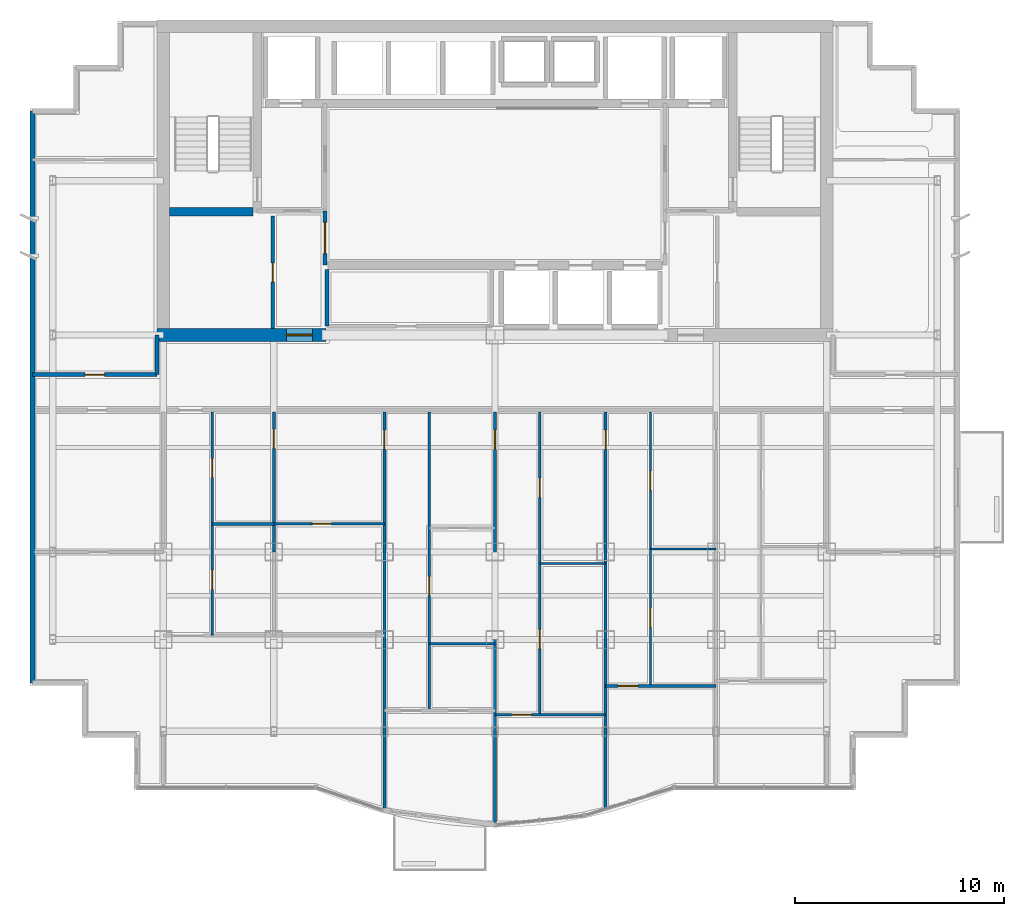
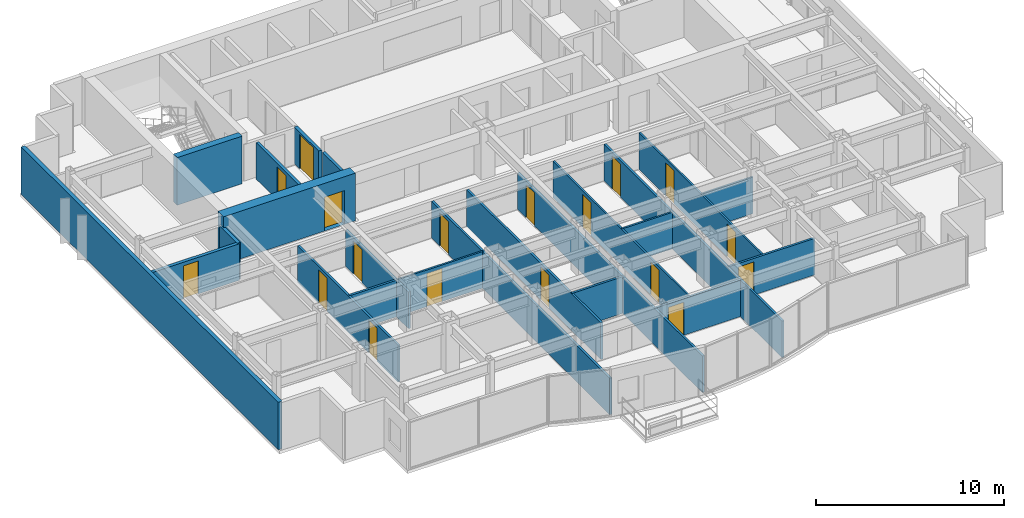
# One storey, part 6 of 11: 23 walls, 18 doors, 18 openings.
"""IFC4 building model written with IfcOpenShell, lengths in metres."""

import ifcopenshell
import ifcopenshell.guid

model = None  # the IFC model being written
_history = None  # IfcOwnerHistory: only IFC2X3 demands one
_inside = {}  # id of a spatial element -> (the spatial element, [elements in it])
_under = {}  # id of a project, library or spatial element -> (it, [spatial elements below it])
_declared = {}  # id of a project -> (the project, [libraries it declares])
_typed = {}  # id of a type object -> (the type object, [elements of that type])
_made_of = {}  # id of a material, layer set ... -> (it, [elements and type objects made of it])


def new_model(schema):
    """Start an empty IFC model of exactly this schema.

    Asked for "IFC4X3", IfcOpenShell would pick the latest addendum, in which some entities
    have other attributes; the version numbers below select the first issue.
    IFC2X3 requires an IfcOwnerHistory on every rooted entity: one is made here for all.
    """
    global model, _history
    if schema == "IFC4X3":
        model = ifcopenshell.file(schema_version=(4, 3, 0, 0))
    else:
        model = ifcopenshell.file(schema=schema)
    _inside.clear()
    _under.clear()
    _declared.clear()
    _typed.clear()
    _made_of.clear()
    _history = None
    if model.schema == "IFC2X3":
        org = make("IfcOrganization", Name="unknown")
        user = make(
            "IfcPersonAndOrganization",
            ThePerson=make("IfcPerson", FamilyName="unknown"),
            TheOrganization=org,
        )
        app = make(
            "IfcApplication",
            ApplicationDeveloper=org,
            Version="unknown",
            ApplicationFullName="unknown",
            ApplicationIdentifier="unknown",
        )
        _history = make(
            "IfcOwnerHistory",
            OwningUser=user,
            OwningApplication=app,
            ChangeAction="ADDED",
            CreationDate=0,
        )
    return model


def make(cls, **values):
    """One entity of the class cls with the attributes given. An attribute that is None is left unset."""
    return model.create_entity(
        cls, **{name: value for name, value in values.items() if value is not None}
    )


def rooted(cls, **values):
    """An entity with a GlobalId (a new one), such as an element, a storey or a relation."""
    return make(cls, GlobalId=ifcopenshell.guid.new(), OwnerHistory=_history, **values)


def si_unit(unit_type, name, prefix=None):
    """IfcSIUnit, for example si_unit("LENGTHUNIT", "METRE", prefix="MILLI")."""
    return make("IfcSIUnit", UnitType=unit_type, Prefix=prefix, Name=name)


def assignment(units):
    """IfcUnitAssignment: the units of a project."""
    return None if units is None else make("IfcUnitAssignment", Units=units)


def point(xyz):
    """IfcCartesianPoint."""
    return None if xyz is None else make("IfcCartesianPoint", Coordinates=xyz)


def direction(xyz):
    """IfcDirection."""
    return None if xyz is None else make("IfcDirection", DirectionRatios=xyz)


def frame(location, z_axis=None, x_axis=None):
    """IfcAxis2Placement3D, a coordinate frame: its origin and axes. An axis left out is left unset."""
    return make(
        "IfcAxis2Placement3D",
        Location=point(location),
        Axis=direction(z_axis),
        RefDirection=direction(x_axis),
    )


def frame_2d(location, x_axis=None):
    """IfcAxis2Placement2D, a coordinate frame in the plane: its origin and x axis."""
    return make(
        "IfcAxis2Placement2D", Location=point(location), RefDirection=direction(x_axis)
    )


def origin():
    """The frame at (0, 0, 0) with its axes left unset."""
    return frame((0.0, 0.0, 0.0))


def place(relative_to, where):
    """IfcLocalPlacement: puts the frame where relative to a parent placement (None: the world)."""
    return make(
        "IfcLocalPlacement", PlacementRelTo=relative_to, RelativePlacement=where
    )


def context(
    kind, dimensions, precision=None, world=None, true_north=None, identifier=None
):
    """IfcGeometricRepresentationContext, for example the 3D "Model" context."""
    return make(
        "IfcGeometricRepresentationContext",
        ContextIdentifier=identifier,
        ContextType=kind,
        CoordinateSpaceDimension=dimensions,
        Precision=precision,
        WorldCoordinateSystem=world,
        TrueNorth=true_north,
    )


def subcontext(parent, identifier, kind, view, scale=None):
    """IfcGeometricRepresentationSubContext, for example "Body" below "Model"."""
    return make(
        "IfcGeometricRepresentationSubContext",
        ContextIdentifier=identifier,
        ContextType=kind,
        ParentContext=parent,
        TargetScale=scale,
        TargetView=view,
    )


def project(units=None, contexts=None):
    """IfcProject with its units and contexts."""
    return rooted(
        "IfcProject",
        Name="project",
        RepresentationContexts=contexts,
        UnitsInContext=assignment(units),
    )


def spatial(cls, under=None, at=None, **own):
    """A site, building, storey or space (cls), placed at a placement, below another one or the project."""
    s = rooted(cls, ObjectPlacement=at, **own)
    if under is not None:
        _under.setdefault(under.id(), (under, []))[1].append(s)
    return s


def profile(cls, at=None, kind="AREA", **sizes):
    """A parametric profile (cls). Its sizes go by their IFC names, for example OverallWidth=200.0."""
    return make(cls, ProfileType=kind, Position=at, **sizes)


def rectangle(**sizes):
    """IfcRectangleProfileDef."""
    return profile("IfcRectangleProfileDef", **sizes)


def extrude(swept, where, along, depth):
    """IfcExtrudedAreaSolid: the profile swept, set in the frame where, extruded along a direction by depth."""
    return make(
        "IfcExtrudedAreaSolid",
        SweptArea=swept,
        Position=where,
        ExtrudedDirection=direction(along),
        Depth=depth,
    )


def shape(context_of_items, identifier, shape_type, items):
    """IfcShapeRepresentation: the items that make up one representation, for example the "Body"."""
    return make(
        "IfcShapeRepresentation",
        ContextOfItems=context_of_items,
        RepresentationIdentifier=identifier,
        RepresentationType=shape_type,
        Items=items,
    )


def material(Name=None, Category=None):
    """IfcMaterial."""
    return make("IfcMaterial", Name=Name, Category=Category)


def layer(
    of_material, thickness, ventilated=None, Name=None, Category=None, Priority=None
):
    """IfcMaterialLayer: one layer of a wall or slab, of a material (None: an air gap)."""
    return make(
        "IfcMaterialLayer",
        Material=of_material,
        LayerThickness=thickness,
        IsVentilated=ventilated,
        Name=Name,
        Category=Category,
        Priority=Priority,
    )


def layer_set(layers, Name=None):
    """IfcMaterialLayerSet."""
    return make("IfcMaterialLayerSet", MaterialLayers=layers, LayerSetName=Name)


def made_of(thing, what):
    """Note that an element or type object is made of a material, layer set ...; save() writes the relation."""
    if what is not None:
        _made_of.setdefault(what.id(), (what, []))[1].append(thing)
    return thing


def type_object(cls, material=None, **own):
    """A type object (cls), such as IfcWallType, which elements share."""
    return made_of(rooted(cls, **own), material)


def element(
    cls,
    number,
    at=None,
    inside=None,
    cuts=None,
    type_object=None,
    material=None,
    context=None,
    identifier="Body",
    shape_type=None,
    held_by="IfcProductDefinitionShape",
    body=None,
    shapes=None,
    **own,
):
    """One element of the class cls, such as IfcWall. Its Tag is "e" and its number.

    at: its placement. inside: the storey or other place that contains it. cuts: it is an
    opening in that element (IfcRelVoidsElement). A single representation is given by context,
    identifier, shape_type and body (its items); several are given by shapes. held_by: the class
    of the entity that holds the representations. save() writes the other relations.
    """
    e = rooted(cls, Tag="e%d" % number, ObjectPlacement=at, **own)
    if body is not None:
        shapes = [shape(context, identifier, shape_type, body)]
    if shapes is not None:
        e.Representation = make(held_by, Representations=shapes)
    if inside is not None:
        _inside.setdefault(inside.id(), (inside, []))[1].append(e)
    if cuts is not None:
        rooted(
            "IfcRelVoidsElement", RelatingBuildingElement=cuts, RelatedOpeningElement=e
        )
    if type_object is not None:
        _typed.setdefault(type_object.id(), (type_object, []))[1].append(e)
    return made_of(e, material)


def fill(opening, filler):
    """IfcRelFillsElement: the door or window that sits in an opening."""
    return rooted(
        "IfcRelFillsElement",
        RelatingOpeningElement=opening,
        RelatedBuildingElement=filler,
    )


def aggregate(whole, parts):
    """IfcRelAggregates: a whole, such as a stair, and the parts it consists of."""
    return rooted("IfcRelAggregates", RelatingObject=whole, RelatedObjects=parts)


def save(model, path):
    """Write the relations noted so far, then the file.

    IfcRelAggregates (storeys below a building ...), IfcRelContainedInSpatialStructure (elements
    in a storey), IfcRelDefinesByType, IfcRelAssociatesMaterial and IfcRelDeclares: one each for
    every whole, place, type object, material and project.
    """
    for whole, parts in _under.values():
        aggregate(whole, parts)
    for where, things in _inside.values():
        rooted(
            "IfcRelContainedInSpatialStructure",
            RelatedElements=things,
            RelatingStructure=where,
        )
    for kind, things in _typed.values():
        rooted("IfcRelDefinesByType", RelatedObjects=things, RelatingType=kind)
    for what, things in _made_of.values():
        rooted("IfcRelAssociatesMaterial", RelatedObjects=things, RelatingMaterial=what)
    for by, libraries in _declared.values():
        rooted("IfcRelDeclares", RelatingContext=by, RelatedDefinitions=libraries)
    model.write(path)


model = new_model("IFC4")

# Units and contexts
model_context = context("Model", 3, precision=1e-05, world=origin(), true_north=direction((0.0, 1.0)))
body_context = subcontext(model_context, "Body", "Model", "MODEL_VIEW")
ifc_project = project(units=[si_unit("LENGTHUNIT", "METRE"), si_unit("AREAUNIT", "SQUARE_METRE"), si_unit("VOLUMEUNIT", "CUBIC_METRE"), si_unit("PLANEANGLEUNIT", "RADIAN"), si_unit("MASSUNIT", "GRAM", prefix="KILO")], contexts=[model_context])

# Site, building, storey
site_placement = place(None, origin())
site = spatial("IfcSite", under=ifc_project, at=site_placement, CompositionType="ELEMENT")
building_placement = place(site_placement, origin())
building = spatial("IfcBuilding", under=site, at=building_placement, Name="Qianlan Lanfeng Residences", CompositionType="ELEMENT")
storey_placement = place(building_placement, frame((0.0, 0.0, 168.89990234375)))
storey = spatial("IfcBuildingStorey", under=building, at=storey_placement, Name="L46", CompositionType="ELEMENT", Elevation=168.89990234375)

# Wall
ifc_material_1 = material(Name="Concrete C56", Category="concrete")
ifc_layer_1 = layer(ifc_material_1, 0.39990234375)
ifc_layer_set_1 = layer_set([ifc_layer_1], Name="Concrete C56")
wall_type_1 = type_object("IfcWallType", Name="CW-RC-400", PredefinedType="SHEAR", material=ifc_layer_set_1)
wall_1_placement = place(storey_placement, frame((10.89990234375, 31.10009765625, 0.0), z_axis=(0.0, 0.0, 1.0), x_axis=(1.0, 0.0, 0.0)))
element("IfcWall", 1, at=wall_1_placement, inside=storey, type_object=wall_type_1, Name="L46 Core Shear Wall ST1S", PredefinedType="SHEAR", context=body_context, shape_type="SweptSolid", body=[
    extrude(rectangle(XDim=4.0, YDim=0.39990234375, at=frame_2d((2.0, 0.0))), origin(), (0.0, 0.0, 1.0), 3.10009765625),
])

# Wall, opening, door
ifc_layer_2 = layer(ifc_material_1, 0.60009765625)
ifc_layer_set_2 = layer_set([ifc_layer_2], Name="Concrete C56")
wall_type_2 = type_object("IfcWallType", Name="CW-RC-600", PredefinedType="SHEAR", material=ifc_layer_set_2)
wall_2_placement = place(storey_placement, frame((10.300048828125, 25.199951171875, 0.0), z_axis=(0.0, 0.0, 1.0), x_axis=(1.0, 0.0, 0.0)))
wall_2 = element("IfcWall", 2, at=wall_2_placement, inside=storey, type_object=wall_type_2, Name="L46 Core Shear Wall SW", PredefinedType="SHEAR", context=body_context, shape_type="SweptSolid", body=[
    extrude(rectangle(XDim=8.099853515625, YDim=0.60009765625, at=frame_2d((4.0498046875, 0.0))), origin(), (0.0, 0.0, 1.0), 3.10009765625),
])
opening_1_placement = place(wall_2_placement, frame((6.199951171875, 0.0, 0.0)))
opening_1 = element("IfcOpeningElement", 3, at=opening_1_placement, cuts=wall_2, Name="Opening L46-D01", PredefinedType="OPENING", context=body_context, shape_type="SweptSolid", body=[
    extrude(rectangle(XDim=1.25, YDim=2.199951171875, at=frame_2d((0.625, 1.10009765625))), frame((0.0, 0.31005859375, 0.0), z_axis=(0.0, -1.0, 0.0), x_axis=(1.0, 0.0, 0.0)), (0.0, 0.0, 1.0), 0.6201171875),
])
ifc_material_2 = material(Name="Painted Galvanised Steel Fire Door", Category="steel")
door_type_1 = type_object("IfcDoorType", Name="DT-FFL", OperationType="NOTDEFINED", PredefinedType="DOOR", material=ifc_material_2)
door_1_placement = place(opening_1_placement, frame((1.25, 0.0, 0.0), z_axis=(0.0, 0.0, 1.0), x_axis=(-1.0, 0.0, 0.0)))
door_1 = element("IfcDoor", 4, at=door_1_placement, inside=storey, type_object=door_type_1, Name="L46 West Core Lobby Smoke Door L46-D01 (DT-FFL)", OperationType="SINGLE_SWING_RIGHT", OverallHeight=2.199951171875, OverallWidth=1.25, PredefinedType="DOOR", context=body_context, shape_type="SweptSolid", body=[
    extrude(rectangle(XDim=1.25, YDim=2.199951171875, at=frame_2d((0.625, 1.10009765625))), frame((0.0, 0.02490234375, 0.0), z_axis=(0.0, -1.0, 0.0), x_axis=(1.0, 0.0, 0.0)), (0.0, 0.0, 1.0), 0.050048828125),
])
fill(opening_1, door_1)

# Wall
ifc_material_3 = material(Name="Concrete C42", Category="concrete")
ifc_layer_3 = layer(ifc_material_3, 0.239990234375)
ifc_layer_set_3 = layer_set([ifc_layer_3], Name="Concrete C42")
wall_type_3 = type_object("IfcWallType", Name="EW-240", PredefinedType="SOLIDWALL", material=ifc_layer_set_3)
wall_3_placement = place(storey_placement, frame((4.320068359375, 35.929931640625, 0.0), z_axis=(0.0, 0.0, 1.0), x_axis=(0.0, -1.0, 0.0)))
element("IfcWall", 5, at=wall_3_placement, inside=storey, type_object=wall_type_3, Name="L46 Exterior Facade Spandrel Wall 21", PredefinedType="SOLIDWALL", context=body_context, shape_type="SweptSolid", body=[
    extrude(rectangle(XDim=27.409912109375, YDim=0.239990234375, at=frame_2d((13.705078125, 0.0))), origin(), (0.0, 0.0, 1.0), 3.10009765625),
])

# Wall, opening, door
ifc_material_4 = material(Name="Demountable Acoustic Framing Partition 110 mm")
ifc_layer_4 = layer(ifc_material_4, 0.110107421875)
ifc_layer_set_4 = layer_set([ifc_layer_4], Name="Demountable Acoustic Framing Partition 110 mm")
wall_type_4 = type_object("IfcWallType", Name="PW-110", PredefinedType="MOVABLE", material=ifc_layer_set_4)
wall_4_placement = place(storey_placement, frame((15.89990234375, 16.14501953125, 0.0), z_axis=(0.0, 0.0, 1.0), x_axis=(1.0, 0.0, 0.0)))
wall_4 = element("IfcWall", 6, at=wall_4_placement, inside=storey, type_object=wall_type_4, Name="L46 U01 Study Split", PredefinedType="MOVABLE", context=body_context, shape_type="SweptSolid", body=[
    extrude(rectangle(XDim=5.300048828125, YDim=0.110107421875, at=frame_2d((2.64990234375, 0.0))), origin(), (0.0, 0.0, 1.0), 2.380126953125),
])
opening_2_placement = place(wall_4_placement, frame((1.840087890625, 0.0, 0.0)))
opening_2 = element("IfcOpeningElement", 7, at=opening_2_placement, cuts=wall_4, Name="Opening L46-D23", PredefinedType="OPENING", context=body_context, shape_type="SweptSolid", body=[
    extrude(rectangle(XDim=0.919921875, YDim=2.14990234375, at=frame_2d((0.4599609375, 1.074951171875))), frame((0.0, 0.06494140625, 0.0), z_axis=(0.0, -1.0, 0.0), x_axis=(1.0, 0.0, 0.0)), (0.0, 0.0, 1.0), 0.130126953125),
])
ifc_material_5 = material(Name="Glazed Timber Kitchen/Study Door", Category="wood")
door_type_2 = type_object("IfcDoorType", Name="DT-INT", OperationType="NOTDEFINED", PredefinedType="DOOR", material=ifc_material_5)
door_2_placement = place(opening_2_placement, origin())
door_2 = element("IfcDoor", 8, at=door_2_placement, inside=storey, type_object=door_type_2, Name="L46 U01 Study Inner Door L46-D23 (DT-INT)", OperationType="SINGLE_SWING_LEFT", OverallHeight=2.14990234375, OverallWidth=0.919921875, PredefinedType="DOOR", context=body_context, shape_type="SweptSolid", body=[
    extrude(rectangle(XDim=0.919921875, YDim=2.14990234375, at=frame_2d((0.4599609375, 1.074951171875))), frame((0.0, 0.02490234375, 0.0), z_axis=(0.0, -1.0, 0.0), x_axis=(1.0, 0.0, 0.0)), (0.0, 0.0, 1.0), 0.050048828125),
])
fill(opening_2, door_2)

# Wall, openings, doors
wall_5_placement = place(storey_placement, frame((28.64990234375, 6.9990234375, 0.0), z_axis=(0.0, 0.0, 1.0), x_axis=(0.0, 1.0, 0.0)))
wall_5 = element("IfcWall", 9, at=wall_5_placement, inside=storey, type_object=wall_type_4, Name="L46 U01 Bedroom 3 Hall Wall", PredefinedType="MOVABLE", context=body_context, shape_type="SweptSolid", body=[
    extrude(rectangle(XDim=14.5009765625, YDim=0.110107421875, at=frame_2d((7.25048828125, 0.0))), origin(), (0.0, 0.0, 1.0), 2.380126953125),
])
opening_3_placement = place(wall_5_placement, frame((3.1650390625, 0.0, 0.0)))
opening_3 = element("IfcOpeningElement", 10, at=opening_3_placement, cuts=wall_5, Name="Opening L46-D29", PredefinedType="OPENING", context=body_context, shape_type="SweptSolid", body=[
    extrude(rectangle(XDim=0.919921875, YDim=2.14990234375, at=frame_2d((0.4599609375, 1.074951171875))), frame((0.0, 0.06494140625, 0.0), z_axis=(0.0, -1.0, 0.0), x_axis=(1.0, 0.0, 0.0)), (0.0, 0.0, 1.0), 0.130126953125),
])
opening_4_placement = place(wall_5_placement, frame((10.4150390625, 0.0, 0.0)))
opening_4 = element("IfcOpeningElement", 11, at=opening_4_placement, cuts=wall_5, Name="Opening L46-D30", PredefinedType="OPENING", context=body_context, shape_type="SweptSolid", body=[
    extrude(rectangle(XDim=0.919921875, YDim=2.14990234375, at=frame_2d((0.4599609375, 1.074951171875))), frame((0.0, 0.06494140625, 0.0), z_axis=(0.0, -1.0, 0.0), x_axis=(1.0, 0.0, 0.0)), (0.0, 0.0, 1.0), 0.130126953125),
])
door_3_placement = place(opening_3_placement, origin())
door_3 = element("IfcDoor", 12, at=door_3_placement, inside=storey, type_object=door_type_2, Name="L46 U01 Utility Door L46-D29 (DT-INT)", OperationType="SINGLE_SWING_LEFT", OverallHeight=2.14990234375, OverallWidth=0.919921875, PredefinedType="DOOR", context=body_context, shape_type="SweptSolid", body=[
    extrude(rectangle(XDim=0.919921875, YDim=2.14990234375, at=frame_2d((0.4599609375, 1.074951171875))), frame((0.0, 0.02490234375, 0.0), z_axis=(0.0, -1.0, 0.0), x_axis=(1.0, 0.0, 0.0)), (0.0, 0.0, 1.0), 0.050048828125),
])
fill(opening_3, door_3)
door_4_placement = place(opening_4_placement, origin())
door_4 = element("IfcDoor", 13, at=door_4_placement, inside=storey, type_object=door_type_2, Name="L46 U01 Specialty Door L46-D30 (DT-INT)", OperationType="SINGLE_SWING_RIGHT", OverallHeight=2.14990234375, OverallWidth=0.919921875, PredefinedType="DOOR", context=body_context, shape_type="SweptSolid", body=[
    extrude(rectangle(XDim=0.919921875, YDim=2.14990234375, at=frame_2d((0.4599609375, 1.074951171875))), frame((0.0, 0.02490234375, 0.0), z_axis=(0.0, -1.0, 0.0), x_axis=(1.0, 0.0, 0.0)), (0.0, 0.0, 1.0), 0.050048828125),
])
fill(opening_4, door_4)

# Wall
wall_6_placement = place(storey_placement, frame((28.64990234375, 14.2490234375, 0.0), z_axis=(0.0, 0.0, 1.0), x_axis=(1.0, 0.0, 0.0)))
element("IfcWall", 14, at=wall_6_placement, inside=storey, type_object=wall_type_4, Name="L46 U01 Specialty Split Wall", PredefinedType="MOVABLE", context=body_context, shape_type="SweptSolid", body=[
    extrude(rectangle(XDim=3.150146484375, YDim=0.110107421875, at=frame_2d((1.5751953125, 0.0))), origin(), (0.0, 0.0, 1.0), 2.380126953125),
])

# Wall, openings, doors
wall_7_placement = place(storey_placement, frame((33.949951171875, 8.3740234375, 0.0), z_axis=(0.0, 0.0, 1.0), x_axis=(0.0, 1.0, 0.0)))
wall_7 = element("IfcWall", 15, at=wall_7_placement, inside=storey, type_object=wall_type_4, Name="L46 U01 Bedroom 4 Hall Wall", PredefinedType="MOVABLE", context=body_context, shape_type="SweptSolid", body=[
    extrude(rectangle(XDim=13.1259765625, YDim=0.110107421875, at=frame_2d((6.56298828125, 0.0))), origin(), (0.0, 0.0, 1.0), 2.380126953125),
])
opening_5_placement = place(wall_7_placement, frame((2.821044921875, 0.0, 0.0)))
opening_5 = element("IfcOpeningElement", 16, at=opening_5_placement, cuts=wall_7, Name="Opening L46-D32", PredefinedType="OPENING", context=body_context, shape_type="SweptSolid", body=[
    extrude(rectangle(XDim=0.919921875, YDim=2.14990234375, at=frame_2d((0.4599609375, 1.074951171875))), frame((0.0, 0.06494140625, 0.0), z_axis=(0.0, -1.0, 0.0), x_axis=(1.0, 0.0, 0.0)), (0.0, 0.0, 1.0), 0.130126953125),
])
opening_6_placement = place(wall_7_placement, frame((9.385009765625, 0.0, 0.0)))
opening_6 = element("IfcOpeningElement", 17, at=opening_6_placement, cuts=wall_7, Name="Opening L46-D33", PredefinedType="OPENING", context=body_context, shape_type="SweptSolid", body=[
    extrude(rectangle(XDim=0.919921875, YDim=2.14990234375, at=frame_2d((0.4599609375, 1.074951171875))), frame((0.0, 0.06494140625, 0.0), z_axis=(0.0, -1.0, 0.0), x_axis=(1.0, 0.0, 0.0)), (0.0, 0.0, 1.0), 0.130126953125),
])
door_5_placement = place(opening_5_placement, origin())
door_5 = element("IfcDoor", 18, at=door_5_placement, inside=storey, type_object=door_type_2, Name="L46 U01 Utility Door L46-D32 (DT-INT)", OperationType="SINGLE_SWING_RIGHT", OverallHeight=2.14990234375, OverallWidth=0.919921875, PredefinedType="DOOR", context=body_context, shape_type="SweptSolid", body=[
    extrude(rectangle(XDim=0.919921875, YDim=2.14990234375, at=frame_2d((0.4599609375, 1.074951171875))), frame((0.0, 0.02490234375, 0.0), z_axis=(0.0, -1.0, 0.0), x_axis=(1.0, 0.0, 0.0)), (0.0, 0.0, 1.0), 0.050048828125),
])
fill(opening_5, door_5)
door_6_placement = place(opening_6_placement, origin())
door_6 = element("IfcDoor", 19, at=door_6_placement, inside=storey, type_object=door_type_2, Name="L46 U01 Specialty Door L46-D33 (DT-INT)", OperationType="SINGLE_SWING_LEFT", OverallHeight=2.14990234375, OverallWidth=0.919921875, PredefinedType="DOOR", context=body_context, shape_type="SweptSolid", body=[
    extrude(rectangle(XDim=0.919921875, YDim=2.14990234375, at=frame_2d((0.4599609375, 1.074951171875))), frame((0.0, 0.02490234375, 0.0), z_axis=(0.0, -1.0, 0.0), x_axis=(1.0, 0.0, 0.0)), (0.0, 0.0, 1.0), 0.050048828125),
])
fill(opening_6, door_6)

# Wall
wall_8_placement = place(storey_placement, frame((33.949951171875, 14.93701171875, 0.0), z_axis=(0.0, 0.0, 1.0), x_axis=(1.0, 0.0, 0.0)))
element("IfcWall", 20, at=wall_8_placement, inside=storey, type_object=wall_type_4, Name="L46 U01 Specialty Split Wall", PredefinedType="MOVABLE", context=body_context, shape_type="SweptSolid", body=[
    extrude(rectangle(XDim=3.150146484375, YDim=0.110107421875, at=frame_2d((1.5751953125, 0.0))), origin(), (0.0, 0.0, 1.0), 2.380126953125),
])

# Wall, opening, door
ifc_material_6 = material(Name="Moisture-Resistant Gypsum Partition 135 mm")
ifc_layer_5 = layer(ifc_material_6, 0.135009765625)
ifc_layer_set_5 = layer_set([ifc_layer_5], Name="Moisture-Resistant Gypsum Partition 135 mm")
wall_type_5 = type_object("IfcWallType", Name="PW-135", PredefinedType="PARTITIONING", material=ifc_layer_set_5)
wall_9_placement = place(storey_placement, frame((15.89990234375, 14.800048828125, 0.0), z_axis=(0.0, 0.0, 1.0), x_axis=(0.0, 1.0, 0.0)))
wall_9 = element("IfcWall", 21, at=wall_9_placement, inside=storey, type_object=wall_type_5, Name="L46 U01 North Spine Wall", PredefinedType="PARTITIONING", context=body_context, shape_type="SweptSolid", body=[
    extrude(rectangle(XDim=6.699951171875, YDim=0.135009765625, at=frame_2d((3.35009765625, 0.0))), origin(), (0.0, 0.0, 1.0), 2.380126953125),
])
opening_7_placement = place(wall_9_placement, frame((4.965087890625, 0.0, 0.0)))
opening_7 = element("IfcOpeningElement", 22, at=opening_7_placement, cuts=wall_9, Name="Opening L46-D15", PredefinedType="OPENING", context=body_context, shape_type="SweptSolid", body=[
    extrude(rectangle(XDim=0.919921875, YDim=2.14990234375, at=frame_2d((0.4599609375, 1.074951171875))), frame((0.0, 0.07763671875, 0.0), z_axis=(0.0, -1.0, 0.0), x_axis=(1.0, 0.0, 0.0)), (0.0, 0.0, 1.0), 0.155029296875),
])
door_7_placement = place(opening_7_placement, origin())
door_7 = element("IfcDoor", 23, at=door_7_placement, inside=storey, type_object=door_type_2, Name="L46 U01 North Suite Door L46-D15 (DT-INT)", OperationType="SINGLE_SWING_LEFT", OverallHeight=2.14990234375, OverallWidth=0.919921875, PredefinedType="DOOR", context=body_context, shape_type="SweptSolid", body=[
    extrude(rectangle(XDim=0.919921875, YDim=2.14990234375, at=frame_2d((0.4599609375, 1.074951171875))), frame((0.0, 0.02490234375, 0.0), z_axis=(0.0, -1.0, 0.0), x_axis=(1.0, 0.0, 0.0)), (0.0, 0.0, 1.0), 0.050048828125),
])
fill(opening_7, door_7)

wall_10_placement = place(storey_placement, frame((21.199951171875, 2.508056640625, 0.0), z_axis=(0.0, 0.0, 1.0), x_axis=(0.0, 1.0, 0.0)))
wall_10 = element("IfcWall", 24, at=wall_10_placement, inside=storey, type_object=wall_type_5, Name="L46 U01 Bay Spine Wall 2", PredefinedType="PARTITIONING", context=body_context, shape_type="SweptSolid", body=[
    extrude(rectangle(XDim=18.991943359375, YDim=0.135009765625, at=frame_2d((9.49609375, 0.0))), origin(), (0.0, 0.0, 1.0), 2.380126953125),
])
opening_8_placement = place(wall_10_placement, frame((17.20703125, 0.0, 0.0)))
opening_8 = element("IfcOpeningElement", 25, at=opening_8_placement, cuts=wall_10, Name="Opening L46-D16", PredefinedType="OPENING", context=body_context, shape_type="SweptSolid", body=[
    extrude(rectangle(XDim=0.919921875, YDim=2.14990234375, at=frame_2d((0.4599609375, 1.074951171875))), frame((0.0, 0.07763671875, 0.0), z_axis=(0.0, -1.0, 0.0), x_axis=(1.0, 0.0, 0.0)), (0.0, 0.0, 1.0), 0.155029296875),
])
door_8_placement = place(opening_8_placement, origin())
door_8 = element("IfcDoor", 26, at=door_8_placement, inside=storey, type_object=door_type_2, Name="L46 U01 Internal Hall Door L46-D16 (DT-INT)", OperationType="SINGLE_SWING_RIGHT", OverallHeight=2.14990234375, OverallWidth=0.919921875, PredefinedType="DOOR", context=body_context, shape_type="SweptSolid", body=[
    extrude(rectangle(XDim=0.919921875, YDim=2.14990234375, at=frame_2d((0.4599609375, 1.074951171875))), frame((0.0, 0.02490234375, 0.0), z_axis=(0.0, -1.0, 0.0), x_axis=(1.0, 0.0, 0.0)), (0.0, 0.0, 1.0), 0.050048828125),
])
fill(opening_8, door_8)

wall_11_placement = place(storey_placement, frame((26.5, 1.820068359375, 0.0), z_axis=(0.0, 0.0, 1.0), x_axis=(0.0, 1.0, 0.0)))
wall_11 = element("IfcWall", 27, at=wall_11_placement, inside=storey, type_object=wall_type_5, Name="L46 U01 Bay Spine Wall 3", PredefinedType="PARTITIONING", context=body_context, shape_type="SweptSolid", body=[
    extrude(rectangle(XDim=19.679931640625, YDim=0.135009765625, at=frame_2d((9.83984375, 0.0))), origin(), (0.0, 0.0, 1.0), 2.380126953125),
])
opening_9_placement = place(wall_11_placement, frame((17.89501953125, 0.0, 0.0)))
opening_9 = element("IfcOpeningElement", 28, at=opening_9_placement, cuts=wall_11, Name="Opening L46-D17", PredefinedType="OPENING", context=body_context, shape_type="SweptSolid", body=[
    extrude(rectangle(XDim=0.919921875, YDim=2.14990234375, at=frame_2d((0.4599609375, 1.074951171875))), frame((0.0, 0.07763671875, 0.0), z_axis=(0.0, -1.0, 0.0), x_axis=(1.0, 0.0, 0.0)), (0.0, 0.0, 1.0), 0.155029296875),
])
door_9_placement = place(opening_9_placement, origin())
door_9 = element("IfcDoor", 29, at=door_9_placement, inside=storey, type_object=door_type_2, Name="L46 U01 Internal Hall Door L46-D17 (DT-INT)", OperationType="SINGLE_SWING_LEFT", OverallHeight=2.14990234375, OverallWidth=0.919921875, PredefinedType="DOOR", context=body_context, shape_type="SweptSolid", body=[
    extrude(rectangle(XDim=0.919921875, YDim=2.14990234375, at=frame_2d((0.4599609375, 1.074951171875))), frame((0.0, 0.02490234375, 0.0), z_axis=(0.0, -1.0, 0.0), x_axis=(1.0, 0.0, 0.0)), (0.0, 0.0, 1.0), 0.050048828125),
])
fill(opening_9, door_9)

wall_12_placement = place(storey_placement, frame((31.800048828125, 2.509033203125, 0.0), z_axis=(0.0, 0.0, 1.0), x_axis=(0.0, 1.0, 0.0)))
wall_12 = element("IfcWall", 30, at=wall_12_placement, inside=storey, type_object=wall_type_5, Name="L46 U01 Bay Spine Wall 4", PredefinedType="PARTITIONING", context=body_context, shape_type="SweptSolid", body=[
    extrude(rectangle(XDim=18.990966796875, YDim=0.135009765625, at=frame_2d((9.49560546875, 0.0))), origin(), (0.0, 0.0, 1.0), 2.380126953125),
])
opening_10_placement = place(wall_12_placement, frame((17.2060546875, 0.0, 0.0)))
opening_10 = element("IfcOpeningElement", 31, at=opening_10_placement, cuts=wall_12, Name="Opening L46-D18", PredefinedType="OPENING", context=body_context, shape_type="SweptSolid", body=[
    extrude(rectangle(XDim=0.919921875, YDim=2.14990234375, at=frame_2d((0.4599609375, 1.074951171875))), frame((0.0, 0.07763671875, 0.0), z_axis=(0.0, -1.0, 0.0), x_axis=(1.0, 0.0, 0.0)), (0.0, 0.0, 1.0), 0.155029296875),
])
door_10_placement = place(opening_10_placement, origin())
door_10 = element("IfcDoor", 32, at=door_10_placement, inside=storey, type_object=door_type_2, Name="L46 U01 Internal Hall Door L46-D18 (DT-INT)", OperationType="SINGLE_SWING_RIGHT", OverallHeight=2.14990234375, OverallWidth=0.919921875, PredefinedType="DOOR", context=body_context, shape_type="SweptSolid", body=[
    extrude(rectangle(XDim=0.919921875, YDim=2.14990234375, at=frame_2d((0.4599609375, 1.074951171875))), frame((0.0, 0.02490234375, 0.0), z_axis=(0.0, -1.0, 0.0), x_axis=(1.0, 0.0, 0.0)), (0.0, 0.0, 1.0), 0.050048828125),
])
fill(opening_10, door_10)

# Wall, openings, doors
wall_13_placement = place(storey_placement, frame((12.949951171875, 10.7900390625, 0.0), z_axis=(0.0, 0.0, 1.0), x_axis=(0.0, 1.0, 0.0)))
wall_13 = element("IfcWall", 33, at=wall_13_placement, inside=storey, type_object=wall_type_5, Name="L46 U01 Kitchen/Bath Wall", PredefinedType="PARTITIONING", context=body_context, shape_type="SweptSolid", body=[
    extrude(rectangle(XDim=10.7099609375, YDim=0.135009765625, at=frame_2d((5.35498046875, 0.0))), origin(), (0.0, 0.0, 1.0), 2.380126953125),
])
opening_11_placement = place(wall_13_placement, frame((2.218017578125, 0.0, 0.0)))
opening_11 = element("IfcOpeningElement", 34, at=opening_11_placement, cuts=wall_13, Name="Opening L46-D21", PredefinedType="OPENING", context=body_context, shape_type="SweptSolid", body=[
    extrude(rectangle(XDim=0.919921875, YDim=2.14990234375, at=frame_2d((0.4599609375, 1.074951171875))), frame((0.0, 0.07763671875, 0.0), z_axis=(0.0, -1.0, 0.0), x_axis=(1.0, 0.0, 0.0)), (0.0, 0.0, 1.0), 0.155029296875),
])
opening_12_placement = place(wall_13_placement, frame((7.5830078125, 0.0, 0.0)))
opening_12 = element("IfcOpeningElement", 35, at=opening_12_placement, cuts=wall_13, Name="Opening L46-D22", PredefinedType="OPENING", context=body_context, shape_type="SweptSolid", body=[
    extrude(rectangle(XDim=0.89990234375, YDim=2.14990234375, at=frame_2d((0.449951171875, 1.074951171875))), frame((0.0, 0.07763671875, 0.0), z_axis=(0.0, -1.0, 0.0), x_axis=(1.0, 0.0, 0.0)), (0.0, 0.0, 1.0), 0.155029296875),
])
door_11_placement = place(opening_11_placement, origin())
door_11 = element("IfcDoor", 36, at=door_11_placement, inside=storey, type_object=door_type_2, Name="L46 U01 Kitchen Door L46-D21 (DT-INT)", OperationType="SINGLE_SWING_LEFT", OverallHeight=2.14990234375, OverallWidth=0.919921875, PredefinedType="DOOR", context=body_context, shape_type="SweptSolid", body=[
    extrude(rectangle(XDim=0.919921875, YDim=2.14990234375, at=frame_2d((0.4599609375, 1.074951171875))), frame((0.0, 0.02490234375, 0.0), z_axis=(0.0, -1.0, 0.0), x_axis=(1.0, 0.0, 0.0)), (0.0, 0.0, 1.0), 0.050048828125),
])
fill(opening_11, door_11)
ifc_material_7 = material(Name="Moisture-Resistant Timber Leaf", Category="wood")
door_type_3 = type_object("IfcDoorType", Name="DT-WC", OperationType="NOTDEFINED", PredefinedType="DOOR", material=ifc_material_7)
door_12_placement = place(opening_12_placement, origin())
door_12 = element("IfcDoor", 37, at=door_12_placement, inside=storey, type_object=door_type_3, Name="L46 U01 Bathroom Door L46-D22 (DT-WC)", OperationType="SINGLE_SWING_RIGHT", OverallHeight=2.14990234375, OverallWidth=0.89990234375, PredefinedType="DOOR", context=body_context, shape_type="SweptSolid", body=[
    extrude(rectangle(XDim=0.89990234375, YDim=2.14990234375, at=frame_2d((0.449951171875, 1.074951171875))), frame((0.0, 0.02490234375, 0.0), z_axis=(0.0, -1.0, 0.0), x_axis=(1.0, 0.0, 0.0)), (0.0, 0.0, 1.0), 0.050048828125),
])
fill(opening_12, door_12)

# Wall
wall_14_placement = place(storey_placement, frame((12.949951171875, 16.14501953125, 0.0), z_axis=(0.0, 0.0, 1.0), x_axis=(1.0, 0.0, 0.0)))
element("IfcWall", 38, at=wall_14_placement, inside=storey, type_object=wall_type_5, Name="L46 U01 Bath Split Wall", PredefinedType="PARTITIONING", context=body_context, shape_type="SweptSolid", body=[
    extrude(rectangle(XDim=2.949951171875, YDim=0.135009765625, at=frame_2d((1.47509765625, 0.0))), origin(), (0.0, 0.0, 1.0), 2.380126953125),
])

# Wall, opening, door
wall_15_placement = place(storey_placement, frame((23.35009765625, 7.198974609375, 0.0), z_axis=(0.0, 0.0, 1.0), x_axis=(0.0, 1.0, 0.0)))
wall_15 = element("IfcWall", 39, at=wall_15_placement, inside=storey, type_object=wall_type_5, Name="L46 U01 Master Passage Wall", PredefinedType="PARTITIONING", context=body_context, shape_type="SweptSolid", body=[
    extrude(rectangle(XDim=14.301025390625, YDim=0.135009765625, at=frame_2d((7.150390625, 0.0))), origin(), (0.0, 0.0, 1.0), 2.380126953125),
])
opening_13_placement = place(wall_15_placement, frame((5.51611328125, 0.0, 0.0)))
opening_13 = element("IfcOpeningElement", 40, at=opening_13_placement, cuts=wall_15, Name="Opening L46-D26", PredefinedType="OPENING", context=body_context, shape_type="SweptSolid", body=[
    extrude(rectangle(XDim=0.919921875, YDim=2.14990234375, at=frame_2d((0.4599609375, 1.074951171875))), frame((0.0, 0.07763671875, 0.0), z_axis=(0.0, -1.0, 0.0), x_axis=(1.0, 0.0, 0.0)), (0.0, 0.0, 1.0), 0.155029296875),
])
door_13_placement = place(opening_13_placement, origin())
door_13 = element("IfcDoor", 41, at=door_13_placement, inside=storey, type_object=door_type_2, Name="L46 U01 Wardrobe Door L46-D26 (DT-INT)", OperationType="SINGLE_SWING_RIGHT", OverallHeight=2.14990234375, OverallWidth=0.919921875, PredefinedType="DOOR", context=body_context, shape_type="SweptSolid", body=[
    extrude(rectangle(XDim=0.919921875, YDim=2.14990234375, at=frame_2d((0.4599609375, 1.074951171875))), frame((0.0, 0.02490234375, 0.0), z_axis=(0.0, -1.0, 0.0), x_axis=(1.0, 0.0, 0.0)), (0.0, 0.0, 1.0), 0.050048828125),
])
fill(opening_13, door_13)

# Wall
wall_16_placement = place(storey_placement, frame((23.35009765625, 10.39892578125, 0.0), z_axis=(0.0, 0.0, 1.0), x_axis=(1.0, 0.0, 0.0)))
element("IfcWall", 42, at=wall_16_placement, inside=storey, type_object=wall_type_5, Name="L46 U01 En-Suite North Wall", PredefinedType="PARTITIONING", context=body_context, shape_type="SweptSolid", body=[
    extrude(rectangle(XDim=3.14990234375, YDim=0.135009765625, at=frame_2d((1.574951171875, 0.0))), origin(), (0.0, 0.0, 1.0), 2.380126953125),
])

# Wall, opening, door
wall_17_placement = place(storey_placement, frame((26.5, 6.9990234375, 0.0), z_axis=(0.0, 0.0, 1.0), x_axis=(1.0, 0.0, 0.0)))
wall_17 = element("IfcWall", 43, at=wall_17_placement, inside=storey, type_object=wall_type_5, Name="L46 U01 Bedroom 3 North Wall", PredefinedType="PARTITIONING", context=body_context, shape_type="SweptSolid", body=[
    extrude(rectangle(XDim=5.300048828125, YDim=0.135009765625, at=frame_2d((2.64990234375, 0.0))), origin(), (0.0, 0.0, 1.0), 2.380126953125),
])
opening_14_placement = place(wall_17_placement, frame((0.800048828125, 0.0, 0.0)))
opening_14 = element("IfcOpeningElement", 44, at=opening_14_placement, cuts=wall_17, Name="Opening L46-D28", PredefinedType="OPENING", context=body_context, shape_type="SweptSolid", body=[
    extrude(rectangle(XDim=0.949951171875, YDim=2.14990234375, at=frame_2d((0.47509765625, 1.074951171875))), frame((0.0, 0.07763671875, 0.0), z_axis=(0.0, -1.0, 0.0), x_axis=(1.0, 0.0, 0.0)), (0.0, 0.0, 1.0), 0.155029296875),
])
ifc_material_8 = material(Name="Painted Solid-Core Timber Leaf", Category="wood")
door_type_4 = type_object("IfcDoorType", Name="DT-BED", OperationType="NOTDEFINED", PredefinedType="DOOR", material=ifc_material_8)
door_14_placement = place(opening_14_placement, origin())
door_14 = element("IfcDoor", 45, at=door_14_placement, inside=storey, type_object=door_type_4, Name="L46 U01 Bedroom 3 Door L46-D28 (DT-BED)", OperationType="SINGLE_SWING_LEFT", OverallHeight=2.14990234375, OverallWidth=0.949951171875, PredefinedType="DOOR", context=body_context, shape_type="SweptSolid", body=[
    extrude(rectangle(XDim=0.949951171875, YDim=2.14990234375, at=frame_2d((0.47509765625, 1.074951171875))), frame((0.0, 0.02490234375, 0.0), z_axis=(0.0, -1.0, 0.0), x_axis=(1.0, 0.0, 0.0)), (0.0, 0.0, 1.0), 0.050048828125),
])
fill(opening_14, door_14)

wall_18_placement = place(storey_placement, frame((31.800048828125, 8.3740234375, 0.0), z_axis=(0.0, 0.0, 1.0), x_axis=(1.0, 0.0, 0.0)))
wall_18 = element("IfcWall", 46, at=wall_18_placement, inside=storey, type_object=wall_type_5, Name="L46 U01 Bedroom 4 North Wall", PredefinedType="PARTITIONING", context=body_context, shape_type="SweptSolid", body=[
    extrude(rectangle(XDim=5.300048828125, YDim=0.135009765625, at=frame_2d((2.64990234375, 0.0))), origin(), (0.0, 0.0, 1.0), 2.380126953125),
])
opening_15_placement = place(wall_18_placement, frame((0.60009765625, 0.0, 0.0)))
opening_15 = element("IfcOpeningElement", 47, at=opening_15_placement, cuts=wall_18, Name="Opening L46-D31", PredefinedType="OPENING", context=body_context, shape_type="SweptSolid", body=[
    extrude(rectangle(XDim=0.949951171875, YDim=2.14990234375, at=frame_2d((0.47509765625, 1.074951171875))), frame((0.0, 0.07763671875, 0.0), z_axis=(0.0, -1.0, 0.0), x_axis=(1.0, 0.0, 0.0)), (0.0, 0.0, 1.0), 0.155029296875),
])
door_15_placement = place(opening_15_placement, frame((0.949951171875, 0.0, 0.0), z_axis=(0.0, 0.0, 1.0), x_axis=(-1.0, 0.0, 0.0)))
door_15 = element("IfcDoor", 48, at=door_15_placement, inside=storey, type_object=door_type_4, Name="L46 U01 Bedroom 4 Door L46-D31 (DT-BED)", OperationType="SINGLE_SWING_RIGHT", OverallHeight=2.14990234375, OverallWidth=0.949951171875, PredefinedType="DOOR", context=body_context, shape_type="SweptSolid", body=[
    extrude(rectangle(XDim=0.949951171875, YDim=2.14990234375, at=frame_2d((0.47509765625, 1.074951171875))), frame((0.0, 0.02490234375, 0.0), z_axis=(0.0, -1.0, 0.0), x_axis=(1.0, 0.0, 0.0)), (0.0, 0.0, 1.0), 0.050048828125),
])
fill(opening_15, door_15)

ifc_material_9 = material(Name="Double-Layer Acoustic Gypsum Stud Wall 180 mm")
ifc_layer_6 = layer(ifc_material_9, 0.179931640625)
ifc_layer_set_6 = layer_set([ifc_layer_6], Name="Double-Layer Acoustic Gypsum Stud Wall 180 mm")
wall_type_6 = type_object("IfcWallType", Name="PW-180", PredefinedType="PARTITIONING", material=ifc_layer_set_6)
wall_19_placement = place(storey_placement, frame((15.85009765625, 25.5, 0.0), z_axis=(0.0, 0.0, 1.0), x_axis=(0.0, 1.0, 0.0)))
wall_19 = element("IfcWall", 49, at=wall_19_placement, inside=storey, type_object=wall_type_6, Name="L46 Core West Service Room Wall", PredefinedType="PARTITIONING", context=body_context, shape_type="SweptSolid", body=[
    extrude(rectangle(XDim=5.39990234375, YDim=0.179931640625, at=frame_2d((2.699951171875, 0.0))), origin(), (0.0, 0.0, 1.0), 2.380126953125),
])
opening_16_placement = place(wall_19_placement, frame((2.239990234375, 0.0, 0.0)))
opening_16 = element("IfcOpeningElement", 50, at=opening_16_placement, cuts=wall_19, Name="Opening L46-D09", PredefinedType="OPENING", context=body_context, shape_type="SweptSolid", body=[
    extrude(rectangle(XDim=0.919921875, YDim=2.14990234375, at=frame_2d((0.4599609375, 1.074951171875))), frame((0.0, 0.10009765625, 0.0), z_axis=(0.0, -1.0, 0.0), x_axis=(1.0, 0.0, 0.0)), (0.0, 0.0, 1.0), 0.199951171875),
])
door_16_placement = place(opening_16_placement, origin())
door_16 = element("IfcDoor", 51, at=door_16_placement, inside=storey, type_object=door_type_2, Name="L46 Core Storage Door L46-D09 (DT-INT)", OperationType="SINGLE_SWING_LEFT", OverallHeight=2.14990234375, OverallWidth=0.919921875, PredefinedType="DOOR", context=body_context, shape_type="SweptSolid", body=[
    extrude(rectangle(XDim=0.919921875, YDim=2.14990234375, at=frame_2d((0.4599609375, 1.074951171875))), frame((0.0, 0.02490234375, 0.0), z_axis=(0.0, -1.0, 0.0), x_axis=(1.0, 0.0, 0.0)), (0.0, 0.0, 1.0), 0.050048828125),
])
fill(opening_16, door_16)

# Wall
wall_20_placement = place(storey_placement, frame((18.449951171875, 25.6201171875, 0.0), z_axis=(0.0, 0.0, 1.0), x_axis=(0.0, 1.0, 0.0)))
element("IfcWall", 52, at=wall_20_placement, inside=storey, type_object=wall_type_6, Name="L46 Reclaimed Low-Bank Room West Wall", PredefinedType="PARTITIONING", context=body_context, shape_type="SweptSolid", body=[
    extrude(rectangle(XDim=2.72998046875, YDim=0.179931640625, at=frame_2d((1.364990234375, 0.0))), origin(), (0.0, 0.0, 1.0), 2.380126953125),
])

# Wall, opening, door
ifc_material_10 = material(Name="Autoclaved Aerated Concrete Blockwork 200 mm", Category="masonry")
ifc_layer_7 = layer(ifc_material_10, 0.199951171875)
ifc_layer_set_7 = layer_set([ifc_layer_7], Name="Autoclaved Aerated Concrete Blockwork 200 mm")
wall_type_7 = type_object("IfcWallType", Name="PW-200", PredefinedType="PARTITIONING", material=ifc_layer_set_7)
wall_21_placement = place(storey_placement, frame((18.35009765625, 28.550048828125, 0.0), z_axis=(0.0, 0.0, 1.0), x_axis=(0.0, 1.0, 0.0)))
wall_21 = element("IfcWall", 53, at=wall_21_placement, inside=storey, type_object=wall_type_7, Name="L46 Lift Lobby West Connector Wall", PredefinedType="PARTITIONING", context=body_context, shape_type="SweptSolid", body=[
    extrude(rectangle(XDim=2.599853515625, YDim=0.199951171875, at=frame_2d((1.2998046875, 0.0))), origin(), (0.0, 0.0, 1.0), 2.380126953125),
])
opening_17_placement = place(wall_21_placement, frame((0.550048828125, 0.0, 0.0)))
opening_17 = element("IfcOpeningElement", 54, at=opening_17_placement, cuts=wall_21, Name="Opening L46-D11", PredefinedType="OPENING", context=body_context, shape_type="SweptSolid", body=[
    extrude(rectangle(XDim=1.5, YDim=2.25, at=frame_2d((0.75, 1.125))), frame((0.0, 0.10986328125, 0.0), z_axis=(0.0, -1.0, 0.0), x_axis=(1.0, 0.0, 0.0)), (0.0, 0.0, 1.0), 0.219970703125),
])
ifc_material_11 = material(Name="Timber Veneer Acoustic Fire Door", Category="wood")
door_type_5 = type_object("IfcDoorType", Name="DT-COR1", OperationType="NOTDEFINED", PredefinedType="DOOR", material=ifc_material_11)
door_17_placement = place(opening_17_placement, origin())
door_17 = element("IfcDoor", 55, at=door_17_placement, inside=storey, type_object=door_type_5, Name="L46 Lift Lobby West Portal Door L46-D11 (DT-COR1)", OperationType="DOUBLE_DOOR_SINGLE_SWING", OverallHeight=2.25, OverallWidth=1.5, PredefinedType="DOOR", context=body_context, shape_type="SweptSolid", body=[
    extrude(rectangle(XDim=1.5, YDim=2.25, at=frame_2d((0.75, 1.125))), frame((0.0, 0.02490234375, 0.0), z_axis=(0.0, -1.0, 0.0), x_axis=(1.0, 0.0, 0.0)), (0.0, 0.0, 1.0), 0.050048828125),
])
fill(opening_17, door_17)

wall_22_placement = place(storey_placement, frame((4.320068359375, 23.300048828125, 0.0), z_axis=(0.0, 0.0, 1.0), x_axis=(1.0, 0.0, 0.0)))
wall_22 = element("IfcWall", 56, at=wall_22_placement, inside=storey, type_object=wall_type_7, Name="L46 Corridor NW Wall", PredefinedType="PARTITIONING", context=body_context, shape_type="SweptSolid", body=[
    extrude(rectangle(XDim=5.97998046875, YDim=0.199951171875, at=frame_2d((2.989990234375, 0.0))), origin(), (0.0, 0.0, 1.0), 2.380126953125),
])
opening_18_placement = place(wall_22_placement, frame((2.530029296875, 0.0, 0.0)))
opening_18 = element("IfcOpeningElement", 57, at=opening_18_placement, cuts=wall_22, Name="Opening L46-D42", PredefinedType="OPENING", context=body_context, shape_type="SweptSolid", body=[
    extrude(rectangle(XDim=0.919921875, YDim=2.14990234375, at=frame_2d((0.4599609375, 1.074951171875))), frame((0.0, 0.10986328125, 0.0), z_axis=(0.0, -1.0, 0.0), x_axis=(1.0, 0.0, 0.0)), (0.0, 0.0, 1.0), 0.219970703125),
])
door_18_placement = place(opening_18_placement, origin())
door_18 = element("IfcDoor", 58, at=door_18_placement, inside=storey, type_object=door_type_2, Name="L46 WW Amenity Salon Door L46-D42 (DT-INT)", OperationType="SINGLE_SWING_RIGHT", OverallHeight=2.14990234375, OverallWidth=0.919921875, PredefinedType="DOOR", context=body_context, shape_type="SweptSolid", body=[
    extrude(rectangle(XDim=0.919921875, YDim=2.14990234375, at=frame_2d((0.4599609375, 1.074951171875))), frame((0.0, 0.02490234375, 0.0), z_axis=(0.0, -1.0, 0.0), x_axis=(1.0, 0.0, 0.0)), (0.0, 0.0, 1.0), 0.050048828125),
])
fill(opening_18, door_18)

# Wall
wall_23_placement = place(storey_placement, frame((10.300048828125, 23.300048828125, 0.0), z_axis=(0.0, 0.0, 1.0), x_axis=(0.0, 1.0, 0.0)))
element("IfcWall", 59, at=wall_23_placement, inside=storey, type_object=wall_type_7, Name="L46 NW Wing Core Return Wall", PredefinedType="PARTITIONING", context=body_context, shape_type="SweptSolid", body=[
    extrude(rectangle(XDim=1.89990234375, YDim=0.199951171875, at=frame_2d((0.949951171875, 0.0))), origin(), (0.0, 0.0, 1.0), 2.380126953125),
])

save(model, "model.ifc")
